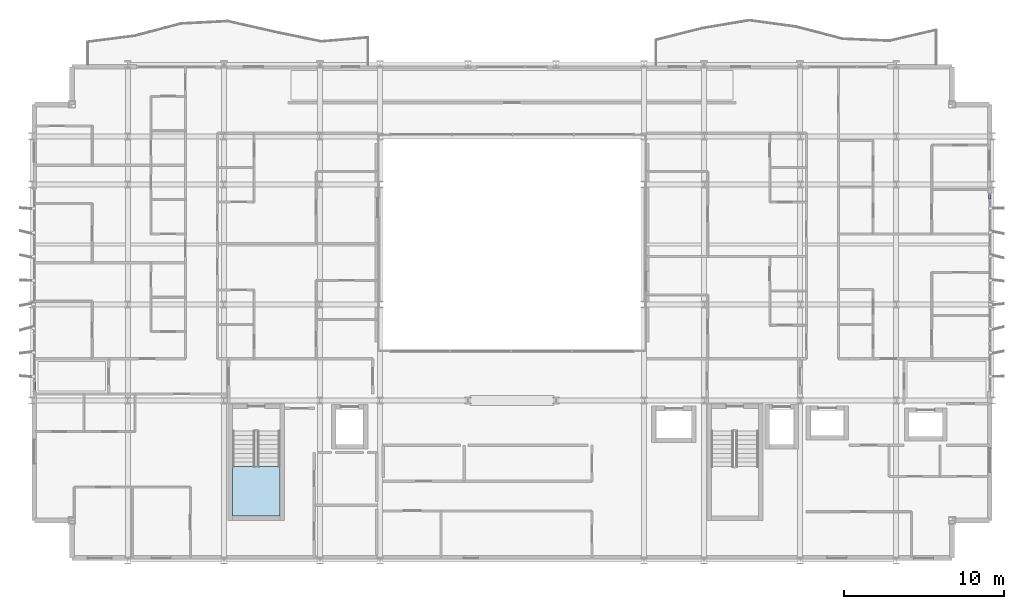
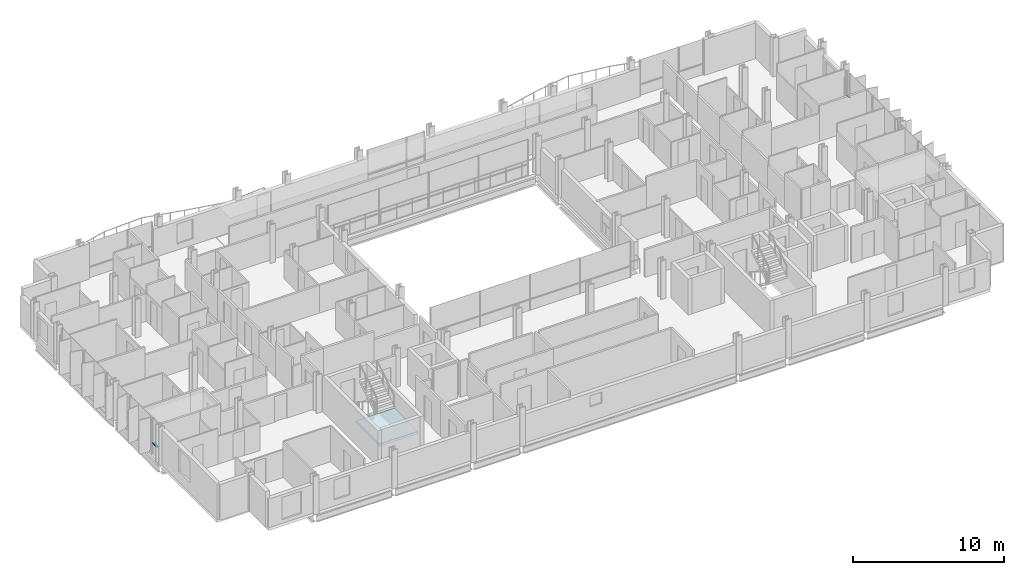
# One storey, part 21 of 39: 2 members, 1 slab, 3 elements without a shape of their own.
"""IFC4 building model written with IfcOpenShell, lengths in metres."""

from ifc_helpers import new_model, si_unit, direction, frame, origin, origin_2d, place, context, subcontext, project, spatial, polyline, hollow_rectangle, outline, extrude, material, layer, layer_set, material_profile, profile_set, type_object, element, aggregate, save


model = new_model("IFC4")

# Units and contexts
model_context = context("Model", 3, precision=1e-05, world=origin(), true_north=direction((0.0, 1.0)))
body_context = subcontext(model_context, "Body", "Model", "MODEL_VIEW")
ifc_project = project(units=[si_unit("LENGTHUNIT", "METRE"), si_unit("AREAUNIT", "SQUARE_METRE"), si_unit("VOLUMEUNIT", "CUBIC_METRE"), si_unit("PLANEANGLEUNIT", "RADIAN"), si_unit("MASSUNIT", "GRAM", prefix="KILO")], contexts=[model_context])

# Site, building, storey
site_placement = place(None, origin())
site = spatial("IfcSite", under=ifc_project, at=site_placement, CompositionType="ELEMENT")
building_placement = place(site_placement, origin())
building = spatial("IfcBuilding", under=site, at=building_placement, Name="Brevholm Reach", CompositionType="ELEMENT")
storey_placement = place(building_placement, frame((0.0, 0.0, 90.0)))
storey = spatial("IfcBuildingStorey", under=building, at=storey_placement, Name="L26", CompositionType="ELEMENT", Elevation=90.0)

# Curtain wall, member
ifc_material_1 = material(Name="Dark Anodised Aluminium 6063-T6 and Solar-Control Glass", Category="aluminium")
ifc_layer_1 = layer(ifc_material_1, 0.14990234375)
ifc_layer_set_1 = layer_set([ifc_layer_1], Name="Dark Anodised Aluminium 6063-T6 and Solar-Control Glass")
curtain_wall_type = type_object("IfcCurtainWallType", Name="CW-01", PredefinedType="NOTDEFINED", material=ifc_layer_set_1)
curtain_wall_1_placement = place(storey_placement, origin())
curtain_wall_1 = element("IfcCurtainWall", 1, at=curtain_wall_1_placement, inside=storey, type_object=curtain_wall_type, Name="L26 Curtain Wall CW-01", PredefinedType="NOTDEFINED")
ifc_material_2 = material(Name="Dark Anodised Aluminium 6063-T6", Category="aluminium")
ifc_material_profile = material_profile(ifc_material_2, hollow_rectangle(XDim=0.06494140625, YDim=0.14990234375, WallThickness=0.0048828125, InnerFilletRadius=0.0048828125, OuterFilletRadius=0.010009765625, at=origin_2d()), Name="RHS 150x65x5")
ifc_profile_set = profile_set([ifc_material_profile], Name="Dark Anodised Aluminium 6063-T6")
member_type = type_object("IfcMemberType", Name="CWT-150", PredefinedType="NOTDEFINED", material=ifc_profile_set)
member_1_placement = place(storey_placement, frame((0.14990234375, 11.1875, 0.89990234375), z_axis=(0.0, -1.0, 0.0), x_axis=(0.0, 0.0, 1.0)))
member_1 = element("IfcMember", 2, at=member_1_placement, type_object=member_type, Name="CT-150 Transom 5.1", ObjectType="TRANSOM", PredefinedType="USERDEFINED", context=body_context, shape_type="SweptSolid", body=[
    extrude(hollow_rectangle(XDim=0.06494140625, YDim=0.14990234375, WallThickness=0.0048828125, InnerFilletRadius=0.0048828125, OuterFilletRadius=0.010009765625, at=origin_2d()), origin(), (0.0, 0.0, 1.0), 0.572509765625),
])
aggregate(curtain_wall_1, [member_1])

curtain_wall_2_placement = place(storey_placement, origin())
curtain_wall_2 = element("IfcCurtainWall", 3, at=curtain_wall_2_placement, inside=storey, type_object=curtain_wall_type, Name="L26 Curtain Wall CW-01", PredefinedType="NOTDEFINED")
member_2_placement = place(storey_placement, frame((59.85009765625, 22.58251953125, 0.89990234375), z_axis=(0.0, 1.0, 0.0), x_axis=(0.0, 0.0, 1.0)))
member_2 = element("IfcMember", 4, at=member_2_placement, type_object=member_type, Name="CT-150 Transom 5.1", ObjectType="TRANSOM", PredefinedType="USERDEFINED", context=body_context, shape_type="SweptSolid", body=[
    extrude(hollow_rectangle(XDim=0.06494140625, YDim=0.14990234375, WallThickness=0.0048828125, InnerFilletRadius=0.0048828125, OuterFilletRadius=0.010009765625, at=origin_2d()), origin(), (0.0, 0.0, 1.0), 0.302490234375),
])
aggregate(curtain_wall_2, [member_2])

# Stair, slab
ifc_material_3 = material(Name="Precast Concrete C40/50", Category="concrete")
stair_type = type_object("IfcStairType", Name="STR-ESC-1400", PredefinedType="DOUBLE_RETURN_STAIR", material=ifc_material_3)
stair_placement = place(storey_placement, origin())
stair = element("IfcStair", 5, at=stair_placement, inside=storey, type_object=stair_type, Name="L26 ST-1", PredefinedType="DOUBLE_RETURN_STAIR")
ifc_material_4 = material(Name="Concrete C40/50", Category="concrete")
ifc_layer_2 = layer(ifc_material_4, 0.199951171875)
ifc_layer_set_2 = layer_set([ifc_layer_2], Name="Concrete C40/50")
slab_type = type_object("IfcSlabType", Name="SLB-LND-200", PredefinedType="LANDING", material=ifc_layer_set_2)
slab_placement = place(storey_placement, frame((0.0, 0.0, 1.35009765625)))
slab = element("IfcSlab", 6, at=slab_placement, type_object=slab_type, Name="ST-1 landing 1", PredefinedType="LANDING", context=body_context, shape_type="SweptSolid", body=[
    extrude(outline(polyline([(12.550048828125, 5.860107421875), (12.550048828125, 2.780029296875), (15.5, 2.780029296875), (15.5, 5.860107421875), (12.550048828125, 5.860107421875)])), origin(), (0.0, 0.0, 1.0), 0.199951171875),
])
aggregate(stair, [slab])

save(model, "model.ifc")
